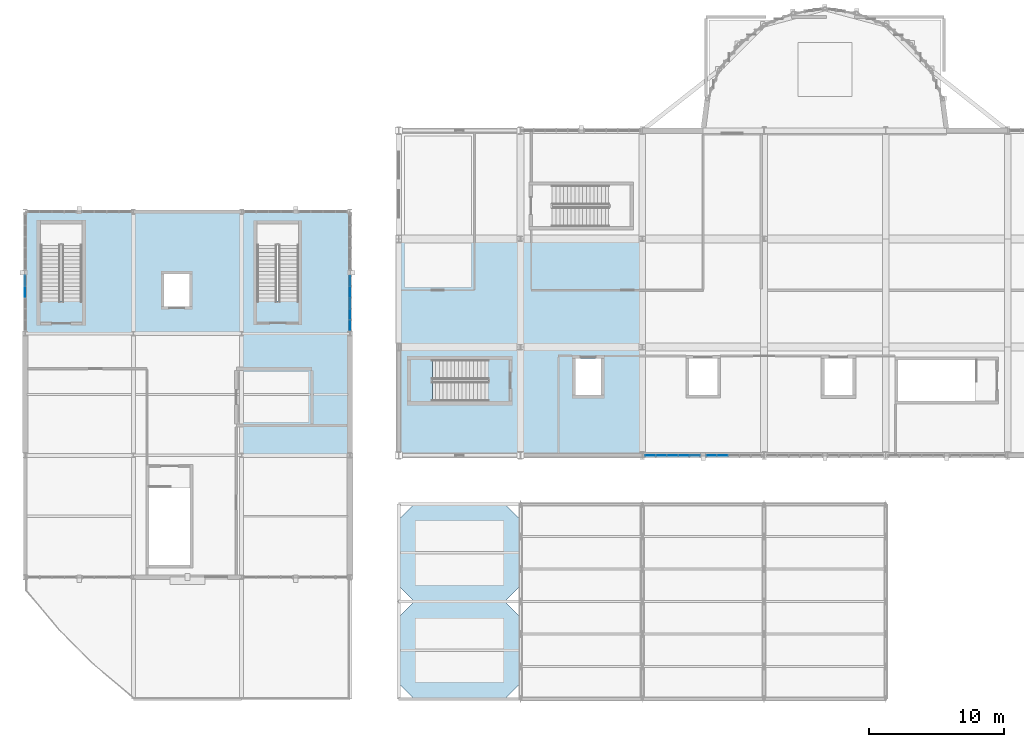
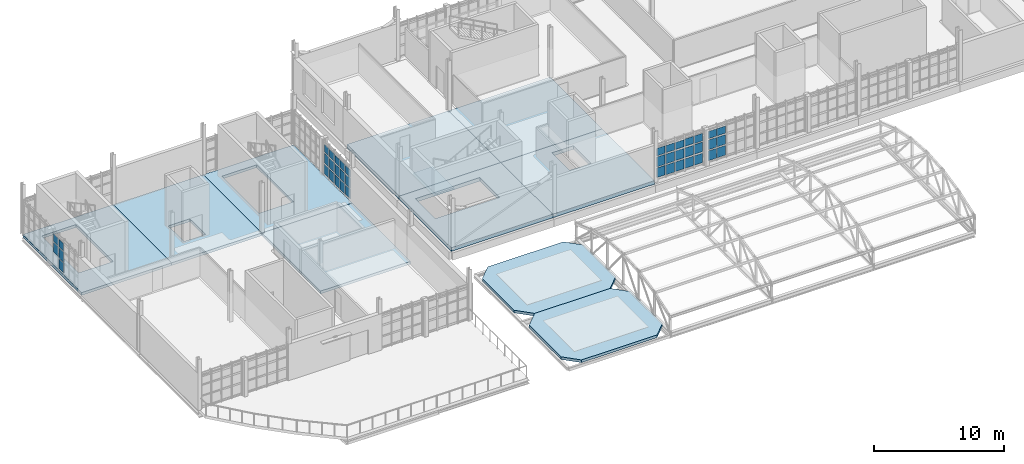
# One storey, part 85 of 128: 41 plates, 11 slabs, 5 elements without a shape of their own.
"""IFC4 building model written with IfcOpenShell, lengths in metres."""

from ifc_helpers import new_model, si_unit, direction, frame, origin, origin_2d, place, context, subcontext, project, spatial, polyline, rectangle, outline, extrude, material, layer, layer_set, type_object, element, aggregate, save


model = new_model("IFC4")

# Units and contexts
model_context = context("Model", 3, precision=1e-05, world=origin(), true_north=direction((0.0, 1.0)))
body_context = subcontext(model_context, "Body", "Model", "MODEL_VIEW")
ifc_project = project(units=[si_unit("LENGTHUNIT", "METRE"), si_unit("AREAUNIT", "SQUARE_METRE"), si_unit("VOLUMEUNIT", "CUBIC_METRE"), si_unit("PLANEANGLEUNIT", "RADIAN"), si_unit("MASSUNIT", "GRAM", prefix="KILO")], contexts=[model_context])

# Site, building, storey
site_placement = place(None, origin())
site = spatial("IfcSite", under=ifc_project, at=site_placement, CompositionType="ELEMENT")
building_placement = place(site_placement, origin())
building = spatial("IfcBuilding", under=site, at=building_placement, Name="Serraforn Aerial Cableway Station", CompositionType="ELEMENT")
storey_placement = place(building_placement, frame((0.0, 0.0, 9.0)))
storey = spatial("IfcBuildingStorey", under=building, at=storey_placement, Name="L02", CompositionType="ELEMENT", Elevation=9.0)

# Curtain wall, plates
ifc_material_1 = material(Name="Anodised bronze unitised curtain wall")
curtain_wall_type_1 = type_object("IfcCurtainWallType", Name="CW-SYS-19", PredefinedType="USERDEFINED", material=ifc_material_1)
curtain_wall_1_placement = place(storey_placement, origin())
curtain_wall_1 = element("IfcCurtainWall", 1, at=curtain_wall_1_placement, inside=storey, type_object=curtain_wall_type_1, Name="Unitised Curtain Wall CW-CV-L02-S3A", ObjectType="UNITISED CURTAIN WALL", PredefinedType="USERDEFINED")
ifc_material_2 = material(Name="Solar-control low-E double glazing", Category="glass")
ifc_layer_1 = layer(ifc_material_2, 0.02587890625)
ifc_layer_set_1 = layer_set([ifc_layer_1], Name="Solar-control low-E double glazing")
plate_type_1 = type_object("IfcPlateType", Name="CW-GLZ-1", PredefinedType="CURTAIN_PANEL", material=ifc_layer_set_1)
plate_1_placement = place(storey_placement, frame((46.181396484375, 18.0, 1.2158203125), z_axis=(0.0, 0.0, 1.0), x_axis=(1.0, 0.0, 0.0)))
plate_1 = element("IfcPlate", 2, at=plate_1_placement, type_object=plate_type_1, Name="Curtain Wall Panel CW-CV-L02-S3A-P1-2", PredefinedType="CURTAIN_PANEL", context=body_context, shape_type="SweptSolid", body=[
    extrude(rectangle(XDim=0.73095703125, YDim=0.02587890625, at=origin_2d()), origin(), (0.0, 0.0, 1.0), 0.9150390625),
])
plate_2_placement = place(storey_placement, frame((47.004638671875, 18.0, 0.189697265625), z_axis=(0.0, 0.0, 1.0), x_axis=(1.0, 0.0, 0.0)))
plate_2 = element("IfcPlate", 3, at=plate_2_placement, type_object=plate_type_1, Name="Curtain Wall Panel CW-CV-L02-S3A-P2-1", PredefinedType="CURTAIN_PANEL", context=body_context, shape_type="SweptSolid", body=[
    extrude(rectangle(XDim=0.7734375, YDim=0.02587890625, at=origin_2d()), origin(), (0.0, 0.0, 1.0), 0.9150390625),
])

# Curtain wall, plate
curtain_wall_type_2 = type_object("IfcCurtainWallType", Name="CW-SYS-20", PredefinedType="USERDEFINED", material=ifc_material_1)
curtain_wall_2_placement = place(storey_placement, origin())
curtain_wall_2 = element("IfcCurtainWall", 4, at=curtain_wall_2_placement, inside=storey, type_object=curtain_wall_type_2, Name="Unitised Curtain Wall CW-CV-L02-S3B", ObjectType="UNITISED CURTAIN WALL", PredefinedType="USERDEFINED")
plate_3_placement = place(storey_placement, frame((50.720947265625, 18.0, 0.189697265625), z_axis=(0.0, 0.0, 1.0), x_axis=(1.0, 0.0, 0.0)))
plate_3 = element("IfcPlate", 5, at=plate_3_placement, type_object=plate_type_1, Name="Curtain Wall Panel CW-CV-L02-S3B-P1-1", PredefinedType="CURTAIN_PANEL", context=body_context, shape_type="SweptSolid", body=[
    extrude(rectangle(XDim=0.73583984375, YDim=0.02587890625, at=origin_2d()), origin(), (0.0, 0.0, 1.0), 0.9150390625),
])

# Curtain wall, plates
curtain_wall_type_3 = type_object("IfcCurtainWallType", Name="CW-SYS-4", PredefinedType="USERDEFINED", material=ifc_material_1)
curtain_wall_3_placement = place(storey_placement, origin())
curtain_wall_3 = element("IfcCurtainWall", 6, at=curtain_wall_3_placement, inside=storey, type_object=curtain_wall_type_3, Name="Unitised Curtain Wall CW-W-L02-W3B", ObjectType="UNITISED CURTAIN WALL", PredefinedType="USERDEFINED")
ifc_layer_2 = layer(ifc_material_2, 0.028076171875)
ifc_layer_set_2 = layer_set([ifc_layer_2], Name="Solar-control low-E double glazing")
plate_type_2 = type_object("IfcPlateType", Name="CW-GLZ-2", PredefinedType="CURTAIN_PANEL", material=ifc_layer_set_2)
plate_4_placement = place(storey_placement, frame((0.0, 30.890869140625, 1.243408203125), z_axis=(0.0, 0.0, 1.0), x_axis=(1.0, 0.0, 0.0)))
plate_4 = element("IfcPlate", 7, at=plate_4_placement, type_object=plate_type_2, Name="Curtain Wall Panel CW-W-L02-W3B-P1-2", PredefinedType="CURTAIN_PANEL", context=body_context, shape_type="SweptSolid", body=[
    extrude(rectangle(XDim=0.028076171875, YDim=0.732421875, at=origin_2d()), origin(), (0.0, 0.0, 1.0), 0.892578125),
])
plate_5_placement = place(storey_placement, frame((0.0, 30.07861328125, 0.21728515625), z_axis=(0.0, 0.0, 1.0), x_axis=(1.0, 0.0, 0.0)))
plate_5 = element("IfcPlate", 8, at=plate_5_placement, type_object=plate_type_2, Name="Curtain Wall Panel CW-W-L02-W3B-P2-1", PredefinedType="CURTAIN_PANEL", context=body_context, shape_type="SweptSolid", body=[
    extrude(rectangle(XDim=0.028076171875, YDim=0.760009765625, at=origin_2d()), origin(), (0.0, 0.0, 1.0), 0.892578125),
])

# Curtain wall, plate
curtain_wall_type_4 = type_object("IfcCurtainWallType", Name="CW-SYS-5", PredefinedType="USERDEFINED", material=ifc_material_1)
curtain_wall_4_placement = place(storey_placement, origin())
curtain_wall_4 = element("IfcCurtainWall", 9, at=curtain_wall_4_placement, inside=storey, type_object=curtain_wall_type_4, Name="Unitised Curtain Wall CW-W-L02-E3A", ObjectType="UNITISED CURTAIN WALL", PredefinedType="USERDEFINED")
plate_6_placement = place(storey_placement, frame((24.0, 27.6083984375, 0.21728515625), z_axis=(0.0, 0.0, 1.0), x_axis=(1.0, 0.0, 0.0)))
plate_6 = element("IfcPlate", 10, at=plate_6_placement, type_object=plate_type_2, Name="Curtain Wall Panel CW-W-L02-E3A-P1-1", PredefinedType="CURTAIN_PANEL", context=body_context, shape_type="SweptSolid", body=[
    extrude(rectangle(XDim=0.028076171875, YDim=0.724853515625, at=origin_2d()), origin(), (0.0, 0.0, 1.0), 0.892578125),
])

# Plate
plate_7_placement = place(storey_placement, frame((46.181396484375, 18.0, 2.246826171875), z_axis=(0.0, 0.0, 1.0), x_axis=(1.0, 0.0, 0.0)))
plate_7 = element("IfcPlate", 11, at=plate_7_placement, type_object=plate_type_2, Name="Curtain Wall Panel CW-CV-L02-S3A-P1-3", PredefinedType="CURTAIN_PANEL", context=body_context, shape_type="SweptSolid", body=[
    extrude(rectangle(XDim=0.73095703125, YDim=0.028076171875, at=origin_2d()), origin(), (0.0, 0.0, 1.0), 0.697265625),
])

plate_8_placement = place(storey_placement, frame((47.004638671875, 18.0, 1.220703125), z_axis=(0.0, 0.0, 1.0), x_axis=(1.0, 0.0, 0.0)))
plate_8 = element("IfcPlate", 12, at=plate_8_placement, type_object=plate_type_2, Name="Curtain Wall Panel CW-CV-L02-S3A-P2-2", PredefinedType="CURTAIN_PANEL", context=body_context, shape_type="SweptSolid", body=[
    extrude(rectangle(XDim=0.7734375, YDim=0.028076171875, at=origin_2d()), origin(), (0.0, 0.0, 1.0), 0.902587890625),
])

plate_9_placement = place(storey_placement, frame((47.832763671875, 18.0, 0.19482421875), z_axis=(0.0, 0.0, 1.0), x_axis=(1.0, 0.0, 0.0)))
plate_9 = element("IfcPlate", 13, at=plate_9_placement, type_object=plate_type_2, Name="Curtain Wall Panel CW-CV-L02-S3A-P3-1", PredefinedType="CURTAIN_PANEL", context=body_context, shape_type="SweptSolid", body=[
    extrude(rectangle(XDim=0.781005859375, YDim=0.028076171875, at=origin_2d()), origin(), (0.0, 0.0, 1.0), 0.902587890625),
])

plate_10_placement = place(storey_placement, frame((50.720947265625, 18.0, 1.220703125), z_axis=(0.0, 0.0, 1.0), x_axis=(1.0, 0.0, 0.0)))
plate_10 = element("IfcPlate", 14, at=plate_10_placement, type_object=plate_type_2, Name="Curtain Wall Panel CW-CV-L02-S3B-P1-2", PredefinedType="CURTAIN_PANEL", context=body_context, shape_type="SweptSolid", body=[
    extrude(rectangle(XDim=0.73583984375, YDim=0.028076171875, at=origin_2d()), origin(), (0.0, 0.0, 1.0), 0.902587890625),
])

plate_11_placement = place(storey_placement, frame((51.5302734375, 18.0, 0.19482421875), z_axis=(0.0, 0.0, 1.0), x_axis=(1.0, 0.0, 0.0)))
plate_11 = element("IfcPlate", 15, at=plate_11_placement, type_object=plate_type_2, Name="Curtain Wall Panel CW-CV-L02-S3B-P2-1", PredefinedType="CURTAIN_PANEL", context=body_context, shape_type="SweptSolid", body=[
    extrude(rectangle(XDim=0.781005859375, YDim=0.028076171875, at=origin_2d()), origin(), (0.0, 0.0, 1.0), 0.902587890625),
])

ifc_layer_3 = layer(ifc_material_2, 0.030029296875)
ifc_layer_set_3 = layer_set([ifc_layer_3], Name="Solar-control low-E double glazing")
plate_type_3 = type_object("IfcPlateType", Name="CW-GLZ-3", PredefinedType="CURTAIN_PANEL", material=ifc_layer_set_3)
plate_12_placement = place(storey_placement, frame((0.0, 30.890869140625, 2.24169921875), z_axis=(0.0, 0.0, 1.0), x_axis=(1.0, 0.0, 0.0)))
plate_12 = element("IfcPlate", 16, at=plate_12_placement, type_object=plate_type_3, Name="Curtain Wall Panel CW-W-L02-W3B-P1-3", PredefinedType="CURTAIN_PANEL", context=body_context, shape_type="SweptSolid", body=[
    extrude(rectangle(XDim=0.030029296875, YDim=0.732421875, at=origin_2d()), origin(), (0.0, 0.0, 1.0), 0.709716796875),
])

plate_13_placement = place(storey_placement, frame((0.0, 30.07861328125, 1.2158203125), z_axis=(0.0, 0.0, 1.0), x_axis=(1.0, 0.0, 0.0)))
plate_13 = element("IfcPlate", 17, at=plate_13_placement, type_object=plate_type_3, Name="Curtain Wall Panel CW-W-L02-W3B-P2-2", PredefinedType="CURTAIN_PANEL", context=body_context, shape_type="SweptSolid", body=[
    extrude(rectangle(XDim=0.030029296875, YDim=0.760009765625, at=origin_2d()), origin(), (0.0, 0.0, 1.0), 0.9150390625),
])

plate_14_placement = place(storey_placement, frame((24.0, 27.6083984375, 1.2158203125), z_axis=(0.0, 0.0, 1.0), x_axis=(1.0, 0.0, 0.0)))
plate_14 = element("IfcPlate", 18, at=plate_14_placement, type_object=plate_type_3, Name="Curtain Wall Panel CW-W-L02-E3A-P1-2", PredefinedType="CURTAIN_PANEL", context=body_context, shape_type="SweptSolid", body=[
    extrude(rectangle(XDim=0.030029296875, YDim=0.724853515625, at=origin_2d()), origin(), (0.0, 0.0, 1.0), 0.9150390625),
])

plate_15_placement = place(storey_placement, frame((24.0, 28.425537109375, 0.189697265625), z_axis=(0.0, 0.0, 1.0), x_axis=(1.0, 0.0, 0.0)))
plate_15 = element("IfcPlate", 19, at=plate_15_placement, type_object=plate_type_3, Name="Curtain Wall Panel CW-W-L02-E3A-P2-1", PredefinedType="CURTAIN_PANEL", context=body_context, shape_type="SweptSolid", body=[
    extrude(rectangle(XDim=0.030029296875, YDim=0.767333984375, at=origin_2d()), origin(), (0.0, 0.0, 1.0), 0.9150390625),
])

plate_16_placement = place(storey_placement, frame((47.004638671875, 18.0, 2.25439453125), z_axis=(0.0, 0.0, 1.0), x_axis=(1.0, 0.0, 0.0)))
plate_16 = element("IfcPlate", 20, at=plate_16_placement, type_object=plate_type_3, Name="Curtain Wall Panel CW-CV-L02-S3A-P2-3", PredefinedType="CURTAIN_PANEL", context=body_context, shape_type="SweptSolid", body=[
    extrude(rectangle(XDim=0.7734375, YDim=0.030029296875, at=origin_2d()), origin(), (0.0, 0.0, 1.0), 0.682373046875),
])

plate_17_placement = place(storey_placement, frame((47.832763671875, 18.0, 1.228515625), z_axis=(0.0, 0.0, 1.0), x_axis=(1.0, 0.0, 0.0)))
plate_17 = element("IfcPlate", 21, at=plate_17_placement, type_object=plate_type_3, Name="Curtain Wall Panel CW-CV-L02-S3A-P3-2", PredefinedType="CURTAIN_PANEL", context=body_context, shape_type="SweptSolid", body=[
    extrude(rectangle(XDim=0.781005859375, YDim=0.030029296875, at=origin_2d()), origin(), (0.0, 0.0, 1.0), 0.887451171875),
])

plate_18_placement = place(storey_placement, frame((48.6669921875, 18.0, 0.2021484375), z_axis=(0.0, 0.0, 1.0), x_axis=(1.0, 0.0, 0.0)))
plate_18 = element("IfcPlate", 22, at=plate_18_placement, type_object=plate_type_3, Name="Curtain Wall Panel CW-CV-L02-S3A-P4-1", PredefinedType="CURTAIN_PANEL", context=body_context, shape_type="SweptSolid", body=[
    extrude(rectangle(XDim=0.77587890625, YDim=0.030029296875, at=origin_2d()), origin(), (0.0, 0.0, 1.0), 0.887451171875),
])

plate_19_placement = place(storey_placement, frame((50.720947265625, 18.0, 2.25439453125), z_axis=(0.0, 0.0, 1.0), x_axis=(1.0, 0.0, 0.0)))
plate_19 = element("IfcPlate", 23, at=plate_19_placement, type_object=plate_type_3, Name="Curtain Wall Panel CW-CV-L02-S3B-P1-3", PredefinedType="CURTAIN_PANEL", context=body_context, shape_type="SweptSolid", body=[
    extrude(rectangle(XDim=0.73583984375, YDim=0.030029296875, at=origin_2d()), origin(), (0.0, 0.0, 1.0), 0.682373046875),
])

plate_20_placement = place(storey_placement, frame((51.5302734375, 18.0, 1.228515625), z_axis=(0.0, 0.0, 1.0), x_axis=(1.0, 0.0, 0.0)))
plate_20 = element("IfcPlate", 24, at=plate_20_placement, type_object=plate_type_3, Name="Curtain Wall Panel CW-CV-L02-S3B-P2-2", PredefinedType="CURTAIN_PANEL", context=body_context, shape_type="SweptSolid", body=[
    extrude(rectangle(XDim=0.781005859375, YDim=0.030029296875, at=origin_2d()), origin(), (0.0, 0.0, 1.0), 0.887451171875),
])

ifc_layer_4 = layer(ifc_material_2, 0.031982421875)
ifc_layer_set_4 = layer_set([ifc_layer_4], Name="Solar-control low-E double glazing")
plate_type_4 = type_object("IfcPlateType", Name="CW-GLZ-4", PredefinedType="CURTAIN_PANEL", material=ifc_layer_set_4)
plate_21_placement = place(storey_placement, frame((0.0, 30.07861328125, 2.246826171875), z_axis=(0.0, 0.0, 1.0), x_axis=(1.0, 0.0, 0.0)))
plate_21 = element("IfcPlate", 25, at=plate_21_placement, type_object=plate_type_4, Name="Curtain Wall Panel CW-W-L02-W3B-P2-3", PredefinedType="CURTAIN_PANEL", context=body_context, shape_type="SweptSolid", body=[
    extrude(rectangle(XDim=0.031982421875, YDim=0.760009765625, at=origin_2d()), origin(), (0.0, 0.0, 1.0), 0.697265625),
])

aggregate(curtain_wall_3, [plate_4, plate_12, plate_5, plate_13, plate_21])

plate_22_placement = place(storey_placement, frame((24.0, 27.6083984375, 2.246826171875), z_axis=(0.0, 0.0, 1.0), x_axis=(1.0, 0.0, 0.0)))
plate_22 = element("IfcPlate", 26, at=plate_22_placement, type_object=plate_type_4, Name="Curtain Wall Panel CW-W-L02-E3A-P1-3", PredefinedType="CURTAIN_PANEL", context=body_context, shape_type="SweptSolid", body=[
    extrude(rectangle(XDim=0.031982421875, YDim=0.724853515625, at=origin_2d()), origin(), (0.0, 0.0, 1.0), 0.697265625),
])

plate_23_placement = place(storey_placement, frame((24.0, 28.425537109375, 1.220703125), z_axis=(0.0, 0.0, 1.0), x_axis=(1.0, 0.0, 0.0)))
plate_23 = element("IfcPlate", 27, at=plate_23_placement, type_object=plate_type_4, Name="Curtain Wall Panel CW-W-L02-E3A-P2-2", PredefinedType="CURTAIN_PANEL", context=body_context, shape_type="SweptSolid", body=[
    extrude(rectangle(XDim=0.031982421875, YDim=0.767333984375, at=origin_2d()), origin(), (0.0, 0.0, 1.0), 0.902587890625),
])

plate_24_placement = place(storey_placement, frame((24.0, 29.247802734375, 0.19482421875), z_axis=(0.0, 0.0, 1.0), x_axis=(1.0, 0.0, 0.0)))
plate_24 = element("IfcPlate", 28, at=plate_24_placement, type_object=plate_type_4, Name="Curtain Wall Panel CW-W-L02-E3A-P3-1", PredefinedType="CURTAIN_PANEL", context=body_context, shape_type="SweptSolid", body=[
    extrude(rectangle(XDim=0.031982421875, YDim=0.77490234375, at=origin_2d()), origin(), (0.0, 0.0, 1.0), 0.902587890625),
])

plate_25_placement = place(storey_placement, frame((47.832763671875, 18.0, 2.26171875), z_axis=(0.0, 0.0, 1.0), x_axis=(1.0, 0.0, 0.0)))
plate_25 = element("IfcPlate", 29, at=plate_25_placement, type_object=plate_type_4, Name="Curtain Wall Panel CW-CV-L02-S3A-P3-3", PredefinedType="CURTAIN_PANEL", context=body_context, shape_type="SweptSolid", body=[
    extrude(rectangle(XDim=0.781005859375, YDim=0.031982421875, at=origin_2d()), origin(), (0.0, 0.0, 1.0), 0.667236328125),
])

plate_26_placement = place(storey_placement, frame((48.6669921875, 18.0, 1.23583984375), z_axis=(0.0, 0.0, 1.0), x_axis=(1.0, 0.0, 0.0)))
plate_26 = element("IfcPlate", 30, at=plate_26_placement, type_object=plate_type_4, Name="Curtain Wall Panel CW-CV-L02-S3A-P4-2", PredefinedType="CURTAIN_PANEL", context=body_context, shape_type="SweptSolid", body=[
    extrude(rectangle(XDim=0.77587890625, YDim=0.031982421875, at=origin_2d()), origin(), (0.0, 0.0, 1.0), 0.87255859375),
])

plate_27_placement = place(storey_placement, frame((49.484130859375, 18.0, 0.209716796875), z_axis=(0.0, 0.0, 1.0), x_axis=(1.0, 0.0, 0.0)))
plate_27 = element("IfcPlate", 31, at=plate_27_placement, type_object=plate_type_4, Name="Curtain Wall Panel CW-CV-L02-S3A-P5-1", PredefinedType="CURTAIN_PANEL", context=body_context, shape_type="SweptSolid", body=[
    extrude(rectangle(XDim=0.73583984375, YDim=0.031982421875, at=origin_2d()), origin(), (0.0, 0.0, 1.0), 0.87255859375),
])

plate_28_placement = place(storey_placement, frame((51.5302734375, 18.0, 2.26171875), z_axis=(0.0, 0.0, 1.0), x_axis=(1.0, 0.0, 0.0)))
plate_28 = element("IfcPlate", 32, at=plate_28_placement, type_object=plate_type_4, Name="Curtain Wall Panel CW-CV-L02-S3B-P2-3", PredefinedType="CURTAIN_PANEL", context=body_context, shape_type="SweptSolid", body=[
    extrude(rectangle(XDim=0.781005859375, YDim=0.031982421875, at=origin_2d()), origin(), (0.0, 0.0, 1.0), 0.667236328125),
])

aggregate(curtain_wall_2, [plate_3, plate_10, plate_19, plate_11, plate_20, plate_28])

ifc_layer_5 = layer(ifc_material_2, 0.033935546875)
ifc_layer_set_5 = layer_set([ifc_layer_5], Name="Solar-control low-E double glazing")
plate_type_5 = type_object("IfcPlateType", Name="CW-GLZ-5", PredefinedType="CURTAIN_PANEL", material=ifc_layer_set_5)
plate_29_placement = place(storey_placement, frame((24.0, 28.425537109375, 2.25439453125), z_axis=(0.0, 0.0, 1.0), x_axis=(1.0, 0.0, 0.0)))
plate_29 = element("IfcPlate", 33, at=plate_29_placement, type_object=plate_type_5, Name="Curtain Wall Panel CW-W-L02-E3A-P2-3", PredefinedType="CURTAIN_PANEL", context=body_context, shape_type="SweptSolid", body=[
    extrude(rectangle(XDim=0.033935546875, YDim=0.767333984375, at=origin_2d()), origin(), (0.0, 0.0, 1.0), 0.682373046875),
])

plate_30_placement = place(storey_placement, frame((24.0, 29.247802734375, 1.228515625), z_axis=(0.0, 0.0, 1.0), x_axis=(1.0, 0.0, 0.0)))
plate_30 = element("IfcPlate", 34, at=plate_30_placement, type_object=plate_type_5, Name="Curtain Wall Panel CW-W-L02-E3A-P3-2", PredefinedType="CURTAIN_PANEL", context=body_context, shape_type="SweptSolid", body=[
    extrude(rectangle(XDim=0.033935546875, YDim=0.77490234375, at=origin_2d()), origin(), (0.0, 0.0, 1.0), 0.887451171875),
])

plate_31_placement = place(storey_placement, frame((24.0, 30.076171875, 0.2021484375), z_axis=(0.0, 0.0, 1.0), x_axis=(1.0, 0.0, 0.0)))
plate_31 = element("IfcPlate", 35, at=plate_31_placement, type_object=plate_type_5, Name="Curtain Wall Panel CW-W-L02-E3A-P4-1", PredefinedType="CURTAIN_PANEL", context=body_context, shape_type="SweptSolid", body=[
    extrude(rectangle(XDim=0.033935546875, YDim=0.77001953125, at=origin_2d()), origin(), (0.0, 0.0, 1.0), 0.887451171875),
])

plate_32_placement = place(storey_placement, frame((48.6669921875, 18.0, 2.26953125), z_axis=(0.0, 0.0, 1.0), x_axis=(1.0, 0.0, 0.0)))
plate_32 = element("IfcPlate", 36, at=plate_32_placement, type_object=plate_type_5, Name="Curtain Wall Panel CW-CV-L02-S3A-P4-3", PredefinedType="CURTAIN_PANEL", context=body_context, shape_type="SweptSolid", body=[
    extrude(rectangle(XDim=0.77587890625, YDim=0.033935546875, at=origin_2d()), origin(), (0.0, 0.0, 1.0), 0.687255859375),
])

plate_33_placement = place(storey_placement, frame((49.484130859375, 18.0, 1.243408203125), z_axis=(0.0, 0.0, 1.0), x_axis=(1.0, 0.0, 0.0)))
plate_33 = element("IfcPlate", 37, at=plate_33_placement, type_object=plate_type_5, Name="Curtain Wall Panel CW-CV-L02-S3A-P5-2", PredefinedType="CURTAIN_PANEL", context=body_context, shape_type="SweptSolid", body=[
    extrude(rectangle(XDim=0.73583984375, YDim=0.033935546875, at=origin_2d()), origin(), (0.0, 0.0, 1.0), 0.892578125),
])

ifc_layer_6 = layer(ifc_material_2, 0.035888671875)
ifc_layer_set_6 = layer_set([ifc_layer_6], Name="Solar-control low-E double glazing")
plate_type_6 = type_object("IfcPlateType", Name="CW-GLZ-6", PredefinedType="CURTAIN_PANEL", material=ifc_layer_set_6)
plate_34_placement = place(storey_placement, frame((24.0, 29.247802734375, 2.26171875), z_axis=(0.0, 0.0, 1.0), x_axis=(1.0, 0.0, 0.0)))
plate_34 = element("IfcPlate", 38, at=plate_34_placement, type_object=plate_type_6, Name="Curtain Wall Panel CW-W-L02-E3A-P3-3", PredefinedType="CURTAIN_PANEL", context=body_context, shape_type="SweptSolid", body=[
    extrude(rectangle(XDim=0.035888671875, YDim=0.77490234375, at=origin_2d()), origin(), (0.0, 0.0, 1.0), 0.667236328125),
])

plate_35_placement = place(storey_placement, frame((24.0, 30.076171875, 1.23583984375), z_axis=(0.0, 0.0, 1.0), x_axis=(1.0, 0.0, 0.0)))
plate_35 = element("IfcPlate", 39, at=plate_35_placement, type_object=plate_type_6, Name="Curtain Wall Panel CW-W-L02-E3A-P4-2", PredefinedType="CURTAIN_PANEL", context=body_context, shape_type="SweptSolid", body=[
    extrude(rectangle(XDim=0.035888671875, YDim=0.77001953125, at=origin_2d()), origin(), (0.0, 0.0, 1.0), 0.87255859375),
])

plate_36_placement = place(storey_placement, frame((24.0, 30.88720703125, 0.209716796875), z_axis=(0.0, 0.0, 1.0), x_axis=(1.0, 0.0, 0.0)))
plate_36 = element("IfcPlate", 40, at=plate_36_placement, type_object=plate_type_6, Name="Curtain Wall Panel CW-W-L02-E3A-P5-1", PredefinedType="CURTAIN_PANEL", context=body_context, shape_type="SweptSolid", body=[
    extrude(rectangle(XDim=0.035888671875, YDim=0.72998046875, at=origin_2d()), origin(), (0.0, 0.0, 1.0), 0.87255859375),
])

plate_37_placement = place(storey_placement, frame((49.484130859375, 18.0, 2.24169921875), z_axis=(0.0, 0.0, 1.0), x_axis=(1.0, 0.0, 0.0)))
plate_37 = element("IfcPlate", 41, at=plate_37_placement, type_object=plate_type_6, Name="Curtain Wall Panel CW-CV-L02-S3A-P5-3", PredefinedType="CURTAIN_PANEL", context=body_context, shape_type="SweptSolid", body=[
    extrude(rectangle(XDim=0.73583984375, YDim=0.035888671875, at=origin_2d()), origin(), (0.0, 0.0, 1.0), 0.709716796875),
])

ifc_layer_7 = layer(ifc_material_2, 0.029052734375)
ifc_layer_set_7 = layer_set([ifc_layer_7], Name="Solar-control low-E double glazing")
plate_type_7 = type_object("IfcPlateType", Name="CW-GLZ-7", PredefinedType="CURTAIN_PANEL", material=ifc_layer_set_7)
plate_38_placement = place(storey_placement, frame((24.0, 30.076171875, 2.26953125), z_axis=(0.0, 0.0, 1.0), x_axis=(1.0, 0.0, 0.0)))
plate_38 = element("IfcPlate", 42, at=plate_38_placement, type_object=plate_type_7, Name="Curtain Wall Panel CW-W-L02-E3A-P4-3", PredefinedType="CURTAIN_PANEL", context=body_context, shape_type="SweptSolid", body=[
    extrude(rectangle(XDim=0.029052734375, YDim=0.77001953125, at=origin_2d()), origin(), (0.0, 0.0, 1.0), 0.687255859375),
])

plate_39_placement = place(storey_placement, frame((24.0, 30.88720703125, 1.243408203125), z_axis=(0.0, 0.0, 1.0), x_axis=(1.0, 0.0, 0.0)))
plate_39 = element("IfcPlate", 43, at=plate_39_placement, type_object=plate_type_7, Name="Curtain Wall Panel CW-W-L02-E3A-P5-2", PredefinedType="CURTAIN_PANEL", context=body_context, shape_type="SweptSolid", body=[
    extrude(rectangle(XDim=0.029052734375, YDim=0.72998046875, at=origin_2d()), origin(), (0.0, 0.0, 1.0), 0.892578125),
])

ifc_layer_8 = layer(ifc_material_2, 0.031005859375)
ifc_layer_set_8 = layer_set([ifc_layer_8], Name="Solar-control low-E double glazing")
plate_type_8 = type_object("IfcPlateType", Name="CW-GLZ-8", PredefinedType="CURTAIN_PANEL", material=ifc_layer_set_8)
plate_40_placement = place(storey_placement, frame((24.0, 30.88720703125, 2.24169921875), z_axis=(0.0, 0.0, 1.0), x_axis=(1.0, 0.0, 0.0)))
plate_40 = element("IfcPlate", 44, at=plate_40_placement, type_object=plate_type_8, Name="Curtain Wall Panel CW-W-L02-E3A-P5-3", PredefinedType="CURTAIN_PANEL", context=body_context, shape_type="SweptSolid", body=[
    extrude(rectangle(XDim=0.031005859375, YDim=0.72998046875, at=origin_2d()), origin(), (0.0, 0.0, 1.0), 0.709716796875),
])

aggregate(curtain_wall_4, [plate_6, plate_14, plate_22, plate_15, plate_23, plate_29, plate_24, plate_30, plate_34, plate_31, plate_35, plate_38, plate_36, plate_39, plate_40])

plate_41_placement = place(storey_placement, frame((46.181396484375, 18.0, 0.21728515625), z_axis=(0.0, 0.0, 1.0), x_axis=(1.0, 0.0, 0.0)))
plate_41 = element("IfcPlate", 45, at=plate_41_placement, type_object=plate_type_8, Name="Curtain Wall Panel CW-CV-L02-S3A-P1-1", PredefinedType="CURTAIN_PANEL", context=body_context, shape_type="SweptSolid", body=[
    extrude(rectangle(XDim=0.73095703125, YDim=0.031005859375, at=origin_2d()), origin(), (0.0, 0.0, 1.0), 0.892578125),
])

aggregate(curtain_wall_1, [plate_41, plate_1, plate_7, plate_2, plate_8, plate_16, plate_9, plate_17, plate_25, plate_18, plate_26, plate_32, plate_27, plate_33, plate_37])

# Slabs
ifc_material_3 = material(Name="Concrete C30/37", Category="concrete")
ifc_layer_9 = layer(ifc_material_3, 0.2548828125)
ifc_layer_set_9 = layer_set([ifc_layer_9], Name="Concrete C30/37")
slab_type_1 = type_object("IfcSlabType", Name="SLB-FLR-255", PredefinedType="FLOOR", material=ifc_layer_set_9)
slab_1_placement = place(storey_placement, frame((0.0, 0.0, -0.2548828125)))
element("IfcSlab", 46, at=slab_1_placement, inside=storey, type_object=slab_type_1, Name="Floor Slab W-L02-1-4", PredefinedType="FLOOR", context=body_context, shape_type="SweptSolid", body=[
    extrude(outline(polyline([(0.0, 27.0), (8.0, 27.0), (8.0, 36.0), (0.0, 36.0), (0.0, 27.0)]), holes=[polyline([(4.199951171875, 29.39990234375), (4.199951171875, 35.10009765625), (1.139892578125, 35.10009765625), (1.139892578125, 29.39990234375), (4.199951171875, 29.39990234375)])]), origin(), (0.0, 0.0, 1.0), 0.2548828125),
])
slab_2_placement = place(storey_placement, frame((0.0, 0.0, -0.2548828125)))
element("IfcSlab", 47, at=slab_2_placement, inside=storey, type_object=slab_type_1, Name="Floor Slab W-L02-2-4", PredefinedType="FLOOR", context=body_context, shape_type="SweptSolid", body=[
    extrude(outline(polyline([(8.0, 27.0), (16.0, 27.0), (16.0, 36.0), (8.0, 36.0), (8.0, 27.0)]), holes=[polyline([(10.25, 29.0), (12.14990234375, 29.0), (12.14990234375, 31.39990234375), (10.25, 31.39990234375), (10.25, 29.0)])]), origin(), (0.0, 0.0, 1.0), 0.2548828125),
])
slab_3_placement = place(storey_placement, frame((0.0, 0.0, -0.2548828125)))
element("IfcSlab", 48, at=slab_3_placement, inside=storey, type_object=slab_type_1, Name="Floor Slab W-L02-3-3", PredefinedType="FLOOR", context=body_context, shape_type="SweptSolid", body=[
    extrude(outline(polyline([(16.0, 18.0), (24.0, 18.0), (24.0, 27.0), (16.0, 27.0), (16.0, 18.0)])), origin(), (0.0, 0.0, 1.0), 0.2548828125),
])
slab_4_placement = place(storey_placement, frame((0.0, 0.0, -0.2548828125)))
element("IfcSlab", 49, at=slab_4_placement, inside=storey, type_object=slab_type_1, Name="Floor Slab W-L02-3-4", PredefinedType="FLOOR", context=body_context, shape_type="SweptSolid", body=[
    extrude(outline(polyline([(16.0, 27.0), (24.0, 27.0), (24.0, 36.0), (16.0, 36.0), (16.0, 27.0)]), holes=[polyline([(20.199951171875, 29.39990234375), (20.199951171875, 35.10009765625), (17.139892578125, 35.10009765625), (17.139892578125, 29.39990234375), (20.199951171875, 29.39990234375)])]), origin(), (0.0, 0.0, 1.0), 0.2548828125),
])
ifc_material_4 = material(Name="Concrete C40/50", Category="concrete")
ifc_layer_10 = layer(ifc_material_4, 0.340087890625)
ifc_layer_set_10 = layer_set([ifc_layer_10], Name="Concrete C40/50")
slab_type_2 = type_object("IfcSlabType", Name="SLB-FLR-340", PredefinedType="FLOOR", material=ifc_layer_set_10)
slab_5_placement = place(storey_placement, frame((0.0, 0.0, -0.340087890625)))
element("IfcSlab", 50, at=slab_5_placement, inside=storey, type_object=slab_type_2, Name="Floor Slab CV-L02-1-1", PredefinedType="FLOOR", context=body_context, shape_type="SweptSolid", body=[
    extrude(outline(polyline([(27.60009765625, 18.0), (36.60009765625, 18.0), (36.60009765625, 26.0), (27.60009765625, 26.0), (27.60009765625, 18.0)]), holes=[polyline([(34.199951171875, 25.06005859375), (28.5, 25.06005859375), (28.5, 22.0), (34.199951171875, 22.0), (34.199951171875, 25.06005859375)])]), origin(), (0.0, 0.0, 1.0), 0.340087890625),
])
slab_6_placement = place(storey_placement, frame((0.0, 0.0, -0.340087890625)))
element("IfcSlab", 51, at=slab_6_placement, inside=storey, type_object=slab_type_2, Name="Floor Slab CV-L02-1-2", PredefinedType="FLOOR", context=body_context, shape_type="SweptSolid", body=[
    extrude(outline(polyline([(27.60009765625, 26.0), (36.60009765625, 26.0), (36.60009765625, 34.0), (27.60009765625, 34.0), (27.60009765625, 26.0)])), origin(), (0.0, 0.0, 1.0), 0.340087890625),
])
slab_7_placement = place(storey_placement, frame((0.0, 0.0, -0.340087890625)))
element("IfcSlab", 52, at=slab_7_placement, inside=storey, type_object=slab_type_2, Name="Floor Slab CV-L02-2-1", PredefinedType="FLOOR", context=body_context, shape_type="SweptSolid", body=[
    extrude(outline(polyline([(36.60009765625, 18.0), (45.60009765625, 18.0), (45.60009765625, 26.0), (36.60009765625, 26.0), (36.60009765625, 18.0)]), holes=[polyline([(40.64990234375, 22.449951171875), (42.550048828125, 22.449951171875), (42.550048828125, 25.14990234375), (40.64990234375, 25.14990234375), (40.64990234375, 22.449951171875)])]), origin(), (0.0, 0.0, 1.0), 0.340087890625),
])
slab_8_placement = place(storey_placement, frame((0.0, 0.0, -0.340087890625)))
element("IfcSlab", 53, at=slab_8_placement, inside=storey, type_object=slab_type_2, Name="Floor Slab CV-L02-2-2", PredefinedType="FLOOR", context=body_context, shape_type="SweptSolid", body=[
    extrude(outline(polyline([(36.60009765625, 26.0), (45.60009765625, 26.0), (45.60009765625, 34.0), (36.60009765625, 34.0), (36.60009765625, 26.0)])), origin(), (0.0, 0.0, 1.0), 0.340087890625),
])

# Stair, slab
ifc_material_5 = material(Name="Concrete C35/45", Category="concrete")
stair_type = type_object("IfcStairType", Name="STR-DL-1", PredefinedType="HALF_TURN_STAIR", material=ifc_material_5)
stair_placement = place(storey_placement, origin())
stair = element("IfcStair", 54, at=stair_placement, inside=storey, type_object=stair_type, Name="L02 Vault West Protected Exit Stair 3", PredefinedType="HALF_TURN_STAIR")
ifc_layer_11 = layer(ifc_material_5, 0.159912109375)
ifc_layer_set_11 = layer_set([ifc_layer_11], Name="Concrete C35/45")
slab_type_3 = type_object("IfcSlabType", Name="SLB-LND-160", PredefinedType="LANDING", material=ifc_layer_set_11)
slab_9_placement = place(storey_placement, frame((0.0, 0.0, 2.239990234375)))
slab_9 = element("IfcSlab", 55, at=slab_9_placement, type_object=slab_type_3, Name="ST-03 landing 1", PredefinedType="LANDING", context=body_context, shape_type="SweptSolid", body=[
    extrude(outline(polyline([(30.10009765625, 25.179931640625), (28.3798828125, 25.179931640625), (28.3798828125, 21.8798828125), (30.10009765625, 21.8798828125), (30.10009765625, 25.179931640625)])), origin(), (0.0, 0.0, 1.0), 0.159912109375),
])
aggregate(stair, [slab_9])

# Slabs
ifc_layer_12 = layer(ifc_material_5, 0.25)
ifc_layer_set_12 = layer_set([ifc_layer_12], Name="Concrete C35/45")
slab_type_4 = type_object("IfcSlabType", Name="SLB-ROOF-250", PredefinedType="ROOF", material=ifc_layer_set_12)
slab_10_placement = place(storey_placement, frame((0.0, 0.0, -0.25)))
element("IfcSlab", 56, at=slab_10_placement, inside=storey, type_object=slab_type_4, Name="Roof Slab CF-L02-1-1", PredefinedType="ROOF", context=body_context, shape_type="SweptSolid", body=[
    extrude(outline(polyline([(28.75, 0.0), (35.449951171875, 0.0), (36.60009765625, 1.14990234375), (36.60009765625, 6.050048828125), (35.449951171875, 7.199951171875), (28.75, 7.199951171875), (27.60009765625, 6.050048828125), (27.60009765625, 1.14990234375), (28.75, 0.0)])), origin(), (0.0, 0.0, 1.0), 0.25),
])
slab_11_placement = place(storey_placement, frame((0.0, 0.0, -0.25)))
element("IfcSlab", 57, at=slab_11_placement, inside=storey, type_object=slab_type_4, Name="Roof Slab CF-L02-1-2", PredefinedType="ROOF", context=body_context, shape_type="SweptSolid", body=[
    extrude(outline(polyline([(28.75, 7.199951171875), (35.449951171875, 7.199951171875), (36.60009765625, 8.35009765625), (36.60009765625, 13.25), (35.449951171875, 14.39990234375), (28.75, 14.39990234375), (27.60009765625, 13.25), (27.60009765625, 8.35009765625), (28.75, 7.199951171875)])), origin(), (0.0, 0.0, 1.0), 0.25),
])

save(model, "model.ifc")
